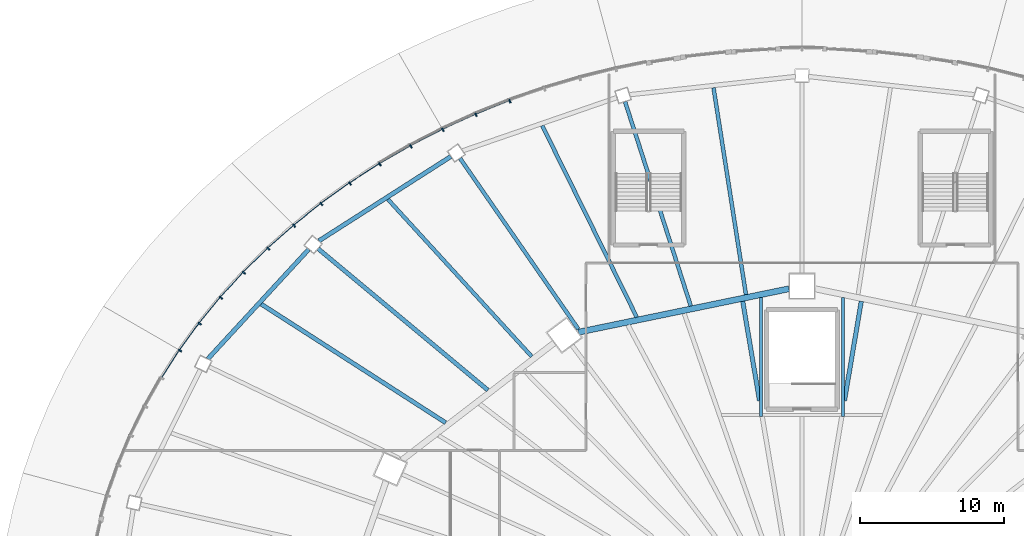
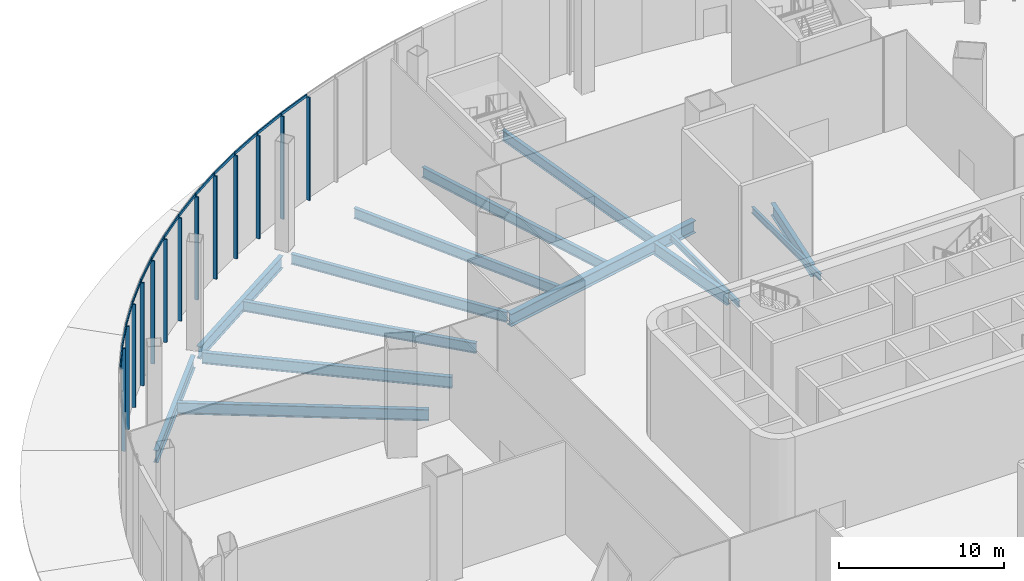
# One storey, part 8 of 36: 26 members, 14 beams, 4 elements without a shape of their own.
"""IFC4 building model written with IfcOpenShell, lengths in metres."""

from ifc_helpers import new_model, si_unit, direction, frame, origin, origin_2d, place, context, subcontext, project, spatial, rectangle, i_section, extrude, material, layer, layer_set, material_profile, profile_set, type_object, element, aggregate, save


model = new_model("IFC4")

# Units and contexts
model_context = context("Model", 3, precision=1e-05, world=origin(), true_north=direction((0.0, 1.0)))
body_context = subcontext(model_context, "Body", "Model", "MODEL_VIEW")
ifc_project = project(units=[si_unit("LENGTHUNIT", "METRE"), si_unit("AREAUNIT", "SQUARE_METRE"), si_unit("VOLUMEUNIT", "CUBIC_METRE"), si_unit("PLANEANGLEUNIT", "RADIAN"), si_unit("MASSUNIT", "GRAM", prefix="KILO")], contexts=[model_context])

# Site, building, storey
site_placement = place(None, origin())
site = spatial("IfcSite", under=ifc_project, at=site_placement, CompositionType="ELEMENT")
building_placement = place(site_placement, origin())
building = spatial("IfcBuilding", under=site, at=building_placement, Name="Sahrelin Media Tower", CompositionType="ELEMENT")
storey_placement = place(building_placement, origin())
storey = spatial("IfcBuildingStorey", under=building, at=storey_placement, Name="L00", CompositionType="ELEMENT", Elevation=0.0)

# Beams
ifc_material_1 = material(Name="Steel S355", Category="steel")
ifc_material_profile_1 = material_profile(ifc_material_1, i_section(OverallWidth=0.1904296875, OverallDepth=0.45703125, WebThickness=0.009033203125, FlangeThickness=0.014404296875, FilletRadius=0.01025390625, at=origin_2d()), Name="UB 457x191x74")
ifc_profile_set_1 = profile_set([ifc_material_profile_1], Name="Steel S355")
beam_type_1 = type_object("IfcBeamType", Name="Header beam HB5", PredefinedType="BEAM", material=ifc_profile_set_1)
for number, where, z_axis, x_axis, name in (
    (1, (2.85009765625, 24.5986328125, -0.528564453125), (0.0, -1.0, 0.0), (1.0, 0.0, 0.0), "Header beam L00-03"),
    (2, (-2.85009765625, 16.335693359375, -0.528564453125), (0.0, 1.0, 0.0), (-1.0, 0.0, 0.0), "Header beam L00-04"),
):
    element("IfcBeam", number, at=place(storey_placement, frame(where, z_axis=z_axis, x_axis=x_axis)), inside=storey, type_object=beam_type_1, Name=name, PredefinedType="BEAM", context=body_context, shape_type="SweptSolid", body=[
        extrude(i_section(OverallWidth=0.1904296875, OverallDepth=0.45703125, WebThickness=0.009033203125, FlangeThickness=0.014404296875, FilletRadius=0.01025390625, at=origin_2d()), origin(), (0.0, 0.0, 1.0), 8.262939453125),
    ])

# Curtain wall, members
ifc_material_2 = material(Name="Champagne anodised aluminium 6063-T6", Category="aluminium")
ifc_layer = layer(ifc_material_2, 0.14990234375)
ifc_layer_set = layer_set([ifc_layer], Name="Concourse curtain wall")
curtain_wall_type = type_object("IfcCurtainWallType", Name="Concourse curtain wall", PredefinedType="NOTDEFINED", material=ifc_layer_set)
curtain_wall_1_placement = place(storey_placement, frame((-12.94091796875, 40.56884765625, 0.0), z_axis=(0.0, 0.0, 1.0), x_axis=(1.0, 0.0, 0.0)))
curtain_wall_1 = element("IfcCurtainWall", 3, at=curtain_wall_1_placement, inside=storey, type_object=curtain_wall_type, Name="L00:CW:L00-P07", PredefinedType="NOTDEFINED")
ifc_material_profile_2 = material_profile(ifc_material_2, rectangle(XDim=0.10009765625, YDim=0.25, at=origin_2d()), Name="Mullion 100x250")
ifc_profile_set_2 = profile_set([ifc_material_profile_2], Name="Champagne anodised aluminium 6063-T6")
member_type_1 = type_object("IfcMemberType", Name="Mullion 100x250 CW4", PredefinedType="MULLION", material=ifc_profile_set_2)
member_1_placement = place(storey_placement, frame((-20.282958984375, 38.234375, 0.0), z_axis=(0.0, 0.0, 1.0), x_axis=(-0.928270482181, -0.371905783648, 0.0)))
member_1 = element("IfcMember", 4, at=member_1_placement, type_object=member_type_1, Name="L00:CWM4:L00-P07", PredefinedType="MULLION", context=body_context, shape_type="SweptSolid", body=[
    extrude(rectangle(XDim=0.10009765625, YDim=0.25, at=origin_2d()), origin(), (0.0, 0.0, 1.0), 7.60009765625),
])
member_2_placement = place(storey_placement, frame((-22.639404296875, 37.290283203125, 0.0), z_axis=(0.0, 0.0, 1.0), x_axis=(-0.909841810065, -0.414955275491, 0.0)))
member_2 = element("IfcMember", 5, at=member_2_placement, type_object=member_type_1, Name="L00:CWM5:L00-P07", PredefinedType="MULLION", context=body_context, shape_type="SweptSolid", body=[
    extrude(rectangle(XDim=0.10009765625, YDim=0.25, at=origin_2d()), origin(), (0.0, 0.0, 1.0), 7.60009765625),
])

curtain_wall_2_placement = place(storey_placement, frame((-25.0, 36.373046875, 0.0), z_axis=(0.0, 0.0, 1.0), x_axis=(1.0, 0.0, 0.0)))
curtain_wall_2 = element("IfcCurtainWall", 6, at=curtain_wall_2_placement, inside=storey, type_object=curtain_wall_type, Name="L00:CW:L00-P08", PredefinedType="NOTDEFINED")
member_3_placement = place(storey_placement, frame((-24.93359375, 36.244140625, 0.0), z_axis=(0.0, 0.0, 1.0), x_axis=(-0.889123403251, -0.457667536309, 0.0)))
member_3 = element("IfcMember", 7, at=member_3_placement, type_object=member_type_1, Name="L00:CWM1:L00-P08", PredefinedType="MULLION", context=body_context, shape_type="SweptSolid", body=[
    extrude(rectangle(XDim=0.10009765625, YDim=0.25, at=origin_2d()), origin(), (0.0, 0.0, 1.0), 7.60009765625),
])
member_4_placement = place(storey_placement, frame((-27.159423828125, 35.0986328125, 0.0), z_axis=(0.0, 0.0, 1.0), x_axis=(-0.866028894422, -0.49999395399, 0.0)))
member_4 = element("IfcMember", 8, at=member_4_placement, type_object=member_type_1, Name="L00:CWM2:L00-P08", PredefinedType="MULLION", context=body_context, shape_type="SweptSolid", body=[
    extrude(rectangle(XDim=0.10009765625, YDim=0.25, at=origin_2d()), origin(), (0.0, 0.0, 1.0), 7.60009765625),
])
member_5_placement = place(storey_placement, frame((-29.310791015625, 33.856689453125, 0.0), z_axis=(0.0, 0.0, 1.0), x_axis=(-0.840519327336, -0.541781561494, 0.0)))
member_5 = element("IfcMember", 9, at=member_5_placement, type_object=member_type_1, Name="L00:CWM3:L00-P08", PredefinedType="MULLION", context=body_context, shape_type="SweptSolid", body=[
    extrude(rectangle(XDim=0.10009765625, YDim=0.25, at=origin_2d()), origin(), (0.0, 0.0, 1.0), 7.60009765625),
])
member_6_placement = place(storey_placement, frame((-31.381591796875, 32.522216796875, 0.0), z_axis=(0.0, 0.0, 1.0), x_axis=(-0.812532432251, -0.582915985834, 0.0)))
member_6 = element("IfcMember", 10, at=member_6_placement, type_object=member_type_1, Name="L00:CWM4:L00-P08", PredefinedType="MULLION", context=body_context, shape_type="SweptSolid", body=[
    extrude(rectangle(XDim=0.10009765625, YDim=0.25, at=origin_2d()), origin(), (0.0, 0.0, 1.0), 7.60009765625),
])
member_7_placement = place(storey_placement, frame((-33.3662109375, 31.0986328125, 0.0), z_axis=(0.0, 0.0, 1.0), x_axis=(-0.781960183728, -0.623328381405, 0.0)))
member_7 = element("IfcMember", 11, at=member_7_placement, type_object=member_type_1, Name="L00:CWM5:L00-P08", PredefinedType="MULLION", context=body_context, shape_type="SweptSolid", body=[
    extrude(rectangle(XDim=0.10009765625, YDim=0.25, at=origin_2d()), origin(), (0.0, 0.0, 1.0), 7.60009765625),
])

curtain_wall_3_placement = place(storey_placement, frame((-35.355224609375, 29.698486328125, 0.0), z_axis=(0.0, 0.0, 1.0), x_axis=(1.0, 0.0, 0.0)))
curtain_wall_3 = element("IfcCurtainWall", 12, at=curtain_wall_3_placement, inside=storey, type_object=curtain_wall_type, Name="L00:CW:L00-P09", PredefinedType="NOTDEFINED")
member_8_placement = place(storey_placement, frame((-35.25927734375, 29.58984375, 0.0), z_axis=(0.0, 0.0, 1.0), x_axis=(-0.748788005735, -0.662809567272, 0.0)))
member_8 = element("IfcMember", 13, at=member_8_placement, type_object=member_type_1, Name="L00:CWM1:L00-P09", PredefinedType="MULLION", context=body_context, shape_type="SweptSolid", body=[
    extrude(rectangle(XDim=0.10009765625, YDim=0.25, at=origin_2d()), origin(), (0.0, 0.0, 1.0), 7.60009765625),
])
member_9_placement = place(storey_placement, frame((-37.055419921875, 28.0, 0.0), z_axis=(0.0, 0.0, 1.0), x_axis=(-0.712973923933, -0.70119054742, 0.0)))
member_9 = element("IfcMember", 14, at=member_9_placement, type_object=member_type_1, Name="L00:CWM2:L00-P09", PredefinedType="MULLION", context=body_context, shape_type="SweptSolid", body=[
    extrude(rectangle(XDim=0.10009765625, YDim=0.25, at=origin_2d()), origin(), (0.0, 0.0, 1.0), 7.60009765625),
])
member_10_placement = place(storey_placement, frame((-38.750244140625, 26.333740234375, 0.0), z_axis=(0.0, 0.0, 1.0), x_axis=(-0.67442997344, -0.738338818514, 0.0)))
member_10 = element("IfcMember", 15, at=member_10_placement, type_object=member_type_1, Name="L00:CWM3:L00-P09", PredefinedType="MULLION", context=body_context, shape_type="SweptSolid", body=[
    extrude(rectangle(XDim=0.10009765625, YDim=0.25, at=origin_2d()), origin(), (0.0, 0.0, 1.0), 7.60009765625),
])
member_11_placement = place(storey_placement, frame((-40.338623046875, 24.59521484375, 0.0), z_axis=(0.0, 0.0, 1.0), x_axis=(-0.633234995933, -0.77395958546, 0.0)))
member_11 = element("IfcMember", 16, at=member_11_placement, type_object=member_type_1, Name="L00:CWM4:L00-P09", PredefinedType="MULLION", context=body_context, shape_type="SweptSolid", body=[
    extrude(rectangle(XDim=0.10009765625, YDim=0.25, at=origin_2d()), origin(), (0.0, 0.0, 1.0), 7.60009765625),
])
member_12_placement = place(storey_placement, frame((-41.81640625, 22.789306640625, 0.0), z_axis=(0.0, 0.0, 1.0), x_axis=(-0.589385309161, -0.807852064022, 0.0)))
member_12 = element("IfcMember", 17, at=member_12_placement, type_object=member_type_1, Name="L00:CWM5:L00-P09", PredefinedType="MULLION", context=body_context, shape_type="SweptSolid", body=[
    extrude(rectangle(XDim=0.10009765625, YDim=0.25, at=origin_2d()), origin(), (0.0, 0.0, 1.0), 7.60009765625),
])

# Curtain wall, member
curtain_wall_4_placement = place(storey_placement, frame((-43.30126953125, 21.0, 0.0), z_axis=(0.0, 0.0, 1.0), x_axis=(1.0, 0.0, 0.0)))
curtain_wall_4 = element("IfcCurtainWall", 18, at=curtain_wall_4_placement, inside=storey, type_object=curtain_wall_type, Name="L00:CW:L00-P10", PredefinedType="NOTDEFINED")
member_13_placement = place(storey_placement, frame((-43.179443359375, 20.92138671875, 0.0), z_axis=(0.0, 0.0, 1.0), x_axis=(-0.542830032192, -0.839842578196, 0.0)))
member_13 = element("IfcMember", 19, at=member_13_placement, type_object=member_type_1, Name="L00:CWM1:L00-P10", PredefinedType="MULLION", context=body_context, shape_type="SweptSolid", body=[
    extrude(rectangle(XDim=0.10009765625, YDim=0.25, at=origin_2d()), origin(), (0.0, 0.0, 1.0), 7.60009765625),
])

# Beams
ifc_material_profile_3 = material_profile(ifc_material_1, i_section(OverallWidth=0.30322265625, OverallDepth=0.903076171875, WebThickness=0.01513671875, FlangeThickness=0.020263671875, FilletRadius=0.01904296875, at=origin_2d()), Name="UB 914x305x201")
ifc_profile_set_3 = profile_set([ifc_material_profile_3], Name="Steel S355")
beam_type_2 = type_object("IfcBeamType", Name="Podium edge girder PE11", PredefinedType="BEAM", material=ifc_profile_set_3)
beam_1_placement = place(storey_placement, frame((-24.37939453125, 34.3984375, -0.75146484375), z_axis=(-0.842485743715, -0.538718638657, 0.0), x_axis=(0.538718638657, -0.842485743715, 0.0)))
element("IfcBeam", 20, at=beam_1_placement, inside=storey, type_object=beam_type_2, Name="Podium edge girder L00-09", PredefinedType="BEAM", context=body_context, shape_type="SweptSolid", body=[
    extrude(i_section(OverallWidth=0.30322265625, OverallDepth=0.903076171875, WebThickness=0.01513671875, FlangeThickness=0.020263671875, FilletRadius=0.01904296875, at=origin_2d()), origin(), (0.0, 0.0, 1.0), 10.87744140625),
])
beam_2_placement = place(storey_placement, frame((-34.246337890625, 27.952880859375, -0.75146484375), z_axis=(-0.677370529771, -0.735642008995, 0.0), x_axis=(0.735642008995, -0.677370529771, 0.0)))
element("IfcBeam", 21, at=beam_2_placement, inside=storey, type_object=beam_type_2, Name="Podium edge girder L00-10", PredefinedType="BEAM", context=body_context, shape_type="SweptSolid", body=[
    extrude(i_section(OverallWidth=0.30322265625, OverallDepth=0.903076171875, WebThickness=0.01513671875, FlangeThickness=0.020263671875, FilletRadius=0.01904296875, at=origin_2d()), origin(), (0.0, 0.0, 1.0), 10.340087890625),
])
ifc_material_profile_4 = material_profile(ifc_material_1, i_section(OverallWidth=0.41845703125, OverallDepth=0.911865234375, WebThickness=0.019287109375, FlangeThickness=0.031982421875, FilletRadius=0.024169921875, at=origin_2d()), Name="UB 914x419x343")
ifc_profile_set_4 = profile_set([ifc_material_profile_4], Name="Steel S355")
beam_type_3 = type_object("IfcBeamType", Name="Podium ring girder PG12", PredefinedType="BEAM", material=ifc_profile_set_4)
beam_3_placement = place(storey_placement, frame((-0.89990234375, 25.21435546875, -0.755859375), z_axis=(-0.979388513106, -0.201985495508, 0.0), x_axis=(0.201985495508, -0.979388513106, 0.0)))
element("IfcBeam", 22, at=beam_3_placement, inside=storey, type_object=beam_type_3, Name="Podium girder L00-04", PredefinedType="BEAM", context=body_context, shape_type="SweptSolid", body=[
    extrude(i_section(OverallWidth=0.41845703125, OverallDepth=0.911865234375, WebThickness=0.019287109375, FlangeThickness=0.031982421875, FilletRadius=0.024169921875, at=origin_2d()), origin(), (0.0, 0.0, 1.0), 14.93359375),
])
ifc_material_profile_5 = material_profile(ifc_material_1, i_section(OverallWidth=0.291748046875, OverallDepth=0.8349609375, WebThickness=0.013916015625, FlangeThickness=0.018798828125, FilletRadius=0.017822265625, at=origin_2d()), Name="UB 838x292x176")
ifc_profile_set_5 = profile_set([ifc_material_profile_5], Name="Steel S355")
beam_type_4 = type_object("IfcBeamType", Name="Radial primary beam PB10", PredefinedType="BEAM", material=ifc_profile_set_5)
beam_4_placement = place(storey_placement, frame((-21.809326171875, 18.174560546875, -0.71728515625), z_axis=(-0.768229105739, 0.640175008178, 0.0), x_axis=(-0.640175008178, -0.768229105739, 0.0)))
element("IfcBeam", 23, at=beam_4_placement, inside=storey, type_object=beam_type_4, Name="Radial beam L00-10", PredefinedType="BEAM", context=body_context, shape_type="SweptSolid", body=[
    extrude(i_section(OverallWidth=0.291748046875, OverallDepth=0.8349609375, WebThickness=0.013916015625, FlangeThickness=0.018798828125, FilletRadius=0.017822265625, at=origin_2d()), origin(), (0.0, 0.0, 1.0), 15.342041015625),
])
ifc_material_profile_6 = material_profile(ifc_material_1, i_section(OverallWidth=0.26513671875, OverallDepth=0.75390625, WebThickness=0.0126953125, FlangeThickness=0.017578125, FilletRadius=0.0166015625, at=origin_2d()), Name="UB 762x267x147")
ifc_profile_set_6 = profile_set([ifc_material_profile_6], Name="Steel S355")
beam_type_5 = type_object("IfcBeamType", Name="Radial primary beam PB9", PredefinedType="BEAM", material=ifc_profile_set_6)
beam_5_placement = place(storey_placement, frame((-7.7236328125, 24.020751953125, -0.677001953125), z_axis=(-0.306110461813, 0.951996000606, 0.0), x_axis=(-0.951996000606, -0.306110461813, 0.0)))
element("IfcBeam", 24, at=beam_5_placement, inside=storey, type_object=beam_type_5, Name="Radial beam L00-08", PredefinedType="BEAM", context=body_context, shape_type="SweptSolid", body=[
    extrude(i_section(OverallWidth=0.26513671875, OverallDepth=0.75390625, WebThickness=0.0126953125, FlangeThickness=0.017578125, FilletRadius=0.0166015625, at=origin_2d()), origin(), (0.0, 0.0, 1.0), 14.903076171875),
])
beam_6_placement = place(storey_placement, frame((-15.527099609375, 22.411376953125, -0.677001953125), z_axis=(-0.569493278726, 0.821995988729, 0.0), x_axis=(-0.821995988729, -0.569493278726, 0.0)))
element("IfcBeam", 25, at=beam_6_placement, inside=storey, type_object=beam_type_5, Name="Radial beam L00-09", PredefinedType="BEAM", context=body_context, shape_type="SweptSolid", body=[
    extrude(i_section(OverallWidth=0.26513671875, OverallDepth=0.75390625, WebThickness=0.0126953125, FlangeThickness=0.017578125, FilletRadius=0.0166015625, at=origin_2d()), origin(), (0.0, 0.0, 1.0), 14.427734375),
])
ifc_material_profile_7 = material_profile(ifc_material_1, i_section(OverallWidth=0.291748046875, OverallDepth=0.8349609375, WebThickness=0.013916015625, FlangeThickness=0.018798828125, FilletRadius=0.017822265625, at=origin_2d()), Name="UB 838x292x176")
ifc_profile_set_7 = profile_set([ifc_material_profile_7], Name="Steel S355")
beam_type_6 = type_object("IfcBeamType", Name="Radial secondary beam SB10", PredefinedType="BEAM", material=ifc_profile_set_7)
beam_7_placement = place(storey_placement, frame((-24.744140625, 15.91552734375, -0.71728515625), z_axis=(-0.84104292767, 0.540968385228, 0.0), x_axis=(-0.540968385228, -0.84104292767, 0.0)))
element("IfcBeam", 26, at=beam_7_placement, inside=storey, type_object=beam_type_6, Name="Secondary beam L00-10", PredefinedType="BEAM", context=body_context, shape_type="SweptSolid", body=[
    extrude(i_section(OverallWidth=0.291748046875, OverallDepth=0.8349609375, WebThickness=0.013916015625, FlangeThickness=0.018798828125, FilletRadius=0.017822265625, at=origin_2d()), origin(), (0.0, 0.0, 1.0), 15.218505859375),
])
ifc_material_profile_8 = material_profile(ifc_material_1, i_section(OverallWidth=0.30322265625, OverallDepth=0.903076171875, WebThickness=0.01513671875, FlangeThickness=0.020263671875, FilletRadius=0.01904296875, at=origin_2d()), Name="UB 914x305x201")
ifc_profile_set_8 = profile_set([ifc_material_profile_8], Name="Steel S355")
beam_type_7 = type_object("IfcBeamType", Name="Radial secondary beam SB11", PredefinedType="BEAM", material=ifc_profile_set_8)
for number, where, z_axis, x_axis, name in (
    (27, (2.949951171875, 17.44677734375, -0.75146484375), (0.166704170057, 0.98600695722, 0.0), (-0.98600695722, 0.166704170057, 0.0), "Secondary beam L00-07"),
    (28, (-2.949951171875, 17.44677734375, -0.75146484375), (-0.166704170057, 0.98600695722, 0.0), (-0.98600695722, -0.166704170057, 0.0), "Secondary beam L00-09"),
):
    element("IfcBeam", number, at=place(storey_placement, frame(where, z_axis=z_axis, x_axis=x_axis)), inside=storey, type_object=beam_type_7, Name=name, PredefinedType="BEAM", context=body_context, shape_type="SweptSolid", body=[
        extrude(i_section(OverallWidth=0.30322265625, OverallDepth=0.903076171875, WebThickness=0.01513671875, FlangeThickness=0.020263671875, FilletRadius=0.01904296875, at=origin_2d()), origin(), (0.0, 0.0, 1.0), 6.98876953125),
    ])
ifc_material_profile_9 = material_profile(ifc_material_1, i_section(OverallWidth=0.26513671875, OverallDepth=0.75390625, WebThickness=0.0126953125, FlangeThickness=0.017578125, FilletRadius=0.0166015625, at=origin_2d()), Name="UB 762x267x147")
ifc_profile_set_9 = profile_set([ifc_material_profile_9], Name="Steel S355")
beam_type_8 = type_object("IfcBeamType", Name="Radial secondary beam SB9", PredefinedType="BEAM", material=ifc_profile_set_9)
beam_8_placement = place(storey_placement, frame((-3.890869140625, 24.811279296875, -0.677001953125), z_axis=(-0.154919883605, 0.987927036609, 0.0), x_axis=(-0.987927036609, -0.154919883605, 0.0)))
element("IfcBeam", 29, at=beam_8_placement, inside=storey, type_object=beam_type_8, Name="Secondary beam L00-07", PredefinedType="BEAM", context=body_context, shape_type="SweptSolid", body=[
    extrude(i_section(OverallWidth=0.26513671875, OverallDepth=0.75390625, WebThickness=0.0126953125, FlangeThickness=0.017578125, FilletRadius=0.0166015625, at=origin_2d()), origin(), (0.0, 0.0, 1.0), 14.537841796875),
])
beam_9_placement = place(storey_placement, frame((-11.47412109375, 23.247314453125, -0.677001953125), z_axis=(-0.442602611298, 0.896717864477, 0.0), x_axis=(-0.896717864477, -0.442602611298, 0.0)))
element("IfcBeam", 30, at=beam_9_placement, inside=storey, type_object=beam_type_8, Name="Secondary beam L00-08", PredefinedType="BEAM", context=body_context, shape_type="SweptSolid", body=[
    extrude(i_section(OverallWidth=0.26513671875, OverallDepth=0.75390625, WebThickness=0.0126953125, FlangeThickness=0.017578125, FilletRadius=0.0166015625, at=origin_2d()), origin(), (0.0, 0.0, 1.0), 14.8232421875),
])
beam_10_placement = place(storey_placement, frame((-18.7685546875, 20.514892578125, -0.677001953125), z_axis=(-0.675004282666, 0.737813810106, 0.0), x_axis=(-0.737813810106, -0.675004282666, 0.0)))
element("IfcBeam", 31, at=beam_10_placement, inside=storey, type_object=beam_type_8, Name="Secondary beam L00-09", PredefinedType="BEAM", context=body_context, shape_type="SweptSolid", body=[
    extrude(i_section(OverallWidth=0.26513671875, OverallDepth=0.75390625, WebThickness=0.0126953125, FlangeThickness=0.017578125, FilletRadius=0.0166015625, at=origin_2d()), origin(), (0.0, 0.0, 1.0), 14.7861328125),
])

# Member
ifc_material_profile_10 = material_profile(ifc_material_2, rectangle(XDim=0.080078125, YDim=0.199951171875, at=origin_2d()), Name="Transom 80x200")
ifc_profile_set_10 = profile_set([ifc_material_profile_10], Name="Champagne anodised aluminium 6063-T6")
member_type_2 = type_object("IfcMemberType", Name="Transom 80x200 CW4", PredefinedType="USERDEFINED", material=ifc_profile_set_10)
member_14_placement = place(storey_placement, frame((-20.3701171875, 38.291015625, 7.699951171875), z_axis=(-0.928273317424, -0.371898706854, 0.0), x_axis=(0.371898706854, -0.928273317424, 0.0)))
member_14 = element("IfcMember", 32, at=member_14_placement, type_object=member_type_2, Name="L00:CWT4a:L00-P07", ObjectType="TRANSOM", PredefinedType="USERDEFINED", context=body_context, shape_type="SweptSolid", body=[
    extrude(rectangle(XDim=0.080078125, YDim=0.199951171875, at=origin_2d()), origin(), (0.0, 0.0, 1.0), 2.4853515625),
])

member_15_placement = place(storey_placement, frame((-22.729248046875, 37.3427734375, 7.699951171875), z_axis=(-0.909857700492, -0.414920431956, 0.0), x_axis=(0.414920431956, -0.909857700492, 0.0)))
member_15 = element("IfcMember", 33, at=member_15_placement, type_object=member_type_2, Name="L00:CWT5a:L00-P07", ObjectType="TRANSOM", PredefinedType="USERDEFINED", context=body_context, shape_type="SweptSolid", body=[
    extrude(rectangle(XDim=0.080078125, YDim=0.199951171875, at=origin_2d()), origin(), (0.0, 0.0, 1.0), 2.46826171875),
])

aggregate(curtain_wall_1, [member_1, member_14, member_2, member_15])

member_16_placement = place(storey_placement, frame((-25.02587890625, 36.292236328125, 7.699951171875), z_axis=(-0.889145349563, -0.457624898089, 0.0), x_axis=(0.457624898089, -0.889145349563, 0.0)))
member_16 = element("IfcMember", 34, at=member_16_placement, type_object=member_type_2, Name="L00:CWT1a:L00-P08", ObjectType="TRANSOM", PredefinedType="USERDEFINED", context=body_context, shape_type="SweptSolid", body=[
    extrude(rectangle(XDim=0.080078125, YDim=0.199951171875, at=origin_2d()), origin(), (0.0, 0.0, 1.0), 2.450439453125),
])

member_17_placement = place(storey_placement, frame((-27.25390625, 35.14208984375, 7.699951171875), z_axis=(-0.866071874077, -0.499919502453, 0.0), x_axis=(0.499919502453, -0.866071874077, 0.0)))
member_17 = element("IfcMember", 35, at=member_17_placement, type_object=member_type_2, Name="L00:CWT2a:L00-P08", ObjectType="TRANSOM", PredefinedType="USERDEFINED", context=body_context, shape_type="SweptSolid", body=[
    extrude(rectangle(XDim=0.080078125, YDim=0.199951171875, at=origin_2d()), origin(), (0.0, 0.0, 1.0), 2.43115234375),
])

member_18_placement = place(storey_placement, frame((-29.4072265625, 33.895751953125, 7.699951171875), z_axis=(-0.840519796932, -0.541780832962, 0.0), x_axis=(0.541780832962, -0.840519796932, 0.0)))
member_18 = element("IfcMember", 36, at=member_18_placement, type_object=member_type_2, Name="L00:CWT3a:L00-P08", ObjectType="TRANSOM", PredefinedType="USERDEFINED", context=body_context, shape_type="SweptSolid", body=[
    extrude(rectangle(XDim=0.080078125, YDim=0.199951171875, at=origin_2d()), origin(), (0.0, 0.0, 1.0), 2.410888671875),
])

member_19_placement = place(storey_placement, frame((-31.479736328125, 32.556396484375, 7.699951171875), z_axis=(-0.81250984777, -0.58294746528, 0.0), x_axis=(0.58294746528, -0.81250984777, 0.0)))
member_19 = element("IfcMember", 37, at=member_19_placement, type_object=member_type_2, Name="L00:CWT4a:L00-P08", ObjectType="TRANSOM", PredefinedType="USERDEFINED", context=body_context, shape_type="SweptSolid", body=[
    extrude(rectangle(XDim=0.080078125, YDim=0.199951171875, at=origin_2d()), origin(), (0.0, 0.0, 1.0), 2.3896484375),
])

member_20_placement = place(storey_placement, frame((-33.466064453125, 31.127685546875, 7.699951171875), z_axis=(-0.781973967853, -0.623311088944, 0.0), x_axis=(0.623311088944, -0.781973967853, 0.0)))
member_20 = element("IfcMember", 38, at=member_20_placement, type_object=member_type_2, Name="L00:CWT5a:L00-P08", ObjectType="TRANSOM", PredefinedType="USERDEFINED", context=body_context, shape_type="SweptSolid", body=[
    extrude(rectangle(XDim=0.080078125, YDim=0.199951171875, at=origin_2d()), origin(), (0.0, 0.0, 1.0), 2.3681640625),
])

aggregate(curtain_wall_2, [member_3, member_16, member_4, member_17, member_5, member_18, member_6, member_19, member_7, member_20])

member_21_placement = place(storey_placement, frame((-35.360595703125, 29.61376953125, 7.699951171875), z_axis=(-0.748774077426, -0.662825302002, 0.0), x_axis=(0.662825302002, -0.748774077426, 0.0)))
member_21 = element("IfcMember", 39, at=member_21_placement, type_object=member_type_2, Name="L00:CWT1a:L00-P09", ObjectType="TRANSOM", PredefinedType="USERDEFINED", context=body_context, shape_type="SweptSolid", body=[
    extrude(rectangle(XDim=0.080078125, YDim=0.199951171875, at=origin_2d()), origin(), (0.0, 0.0, 1.0), 2.34619140625),
])

member_22_placement = place(storey_placement, frame((-37.157958984375, 28.018798828125, 7.699951171875), z_axis=(-0.712911659558, -0.701253852514, 0.0), x_axis=(0.701253852514, -0.712911659558, 0.0)))
member_22 = element("IfcMember", 40, at=member_22_placement, type_object=member_type_2, Name="L00:CWT2a:L00-P09", ObjectType="TRANSOM", PredefinedType="USERDEFINED", context=body_context, shape_type="SweptSolid", body=[
    extrude(rectangle(XDim=0.080078125, YDim=0.199951171875, at=origin_2d()), origin(), (0.0, 0.0, 1.0), 2.32470703125),
])

member_23_placement = place(storey_placement, frame((-38.853515625, 26.3466796875, 7.699951171875), z_axis=(-0.6744176745, -0.738350052699, 0.0), x_axis=(0.738350052699, -0.6744176745, 0.0)))
member_23 = element("IfcMember", 41, at=member_23_placement, type_object=member_type_2, Name="L00:CWT3a:L00-P09", ObjectType="TRANSOM", PredefinedType="USERDEFINED", context=body_context, shape_type="SweptSolid", body=[
    extrude(rectangle(XDim=0.080078125, YDim=0.199951171875, at=origin_2d()), origin(), (0.0, 0.0, 1.0), 2.302734375),
])

member_24_placement = place(storey_placement, frame((-40.4423828125, 24.6025390625, 7.699951171875), z_axis=(-0.633296062236, -0.773909618467, 0.0), x_axis=(0.773909618467, -0.633296062236, 0.0)))
member_24 = element("IfcMember", 42, at=member_24_placement, type_object=member_type_2, Name="L00:CWT4a:L00-P09", ObjectType="TRANSOM", PredefinedType="USERDEFINED", context=body_context, shape_type="SweptSolid", body=[
    extrude(rectangle(XDim=0.080078125, YDim=0.199951171875, at=origin_2d()), origin(), (0.0, 0.0, 1.0), 2.281494140625),
])

member_25_placement = place(storey_placement, frame((-41.92041015625, 22.791015625, 7.699951171875), z_axis=(-0.589320504692, -0.807899339491, 0.0), x_axis=(0.807899339491, -0.589320504692, 0.0)))
member_25 = element("IfcMember", 43, at=member_25_placement, type_object=member_type_2, Name="L00:CWT5a:L00-P09", ObjectType="TRANSOM", PredefinedType="USERDEFINED", context=body_context, shape_type="SweptSolid", body=[
    extrude(rectangle(XDim=0.080078125, YDim=0.199951171875, at=origin_2d()), origin(), (0.0, 0.0, 1.0), 2.2607421875),
])

aggregate(curtain_wall_3, [member_8, member_21, member_9, member_22, member_10, member_23, member_11, member_24, member_12, member_25])

member_26_placement = place(storey_placement, frame((-43.283447265625, 20.9169921875, 7.699951171875), z_axis=(-0.542853714952, -0.839827270433, 0.0), x_axis=(0.839827270433, -0.542853714952, 0.0)))
member_26 = element("IfcMember", 44, at=member_26_placement, type_object=member_type_2, Name="L00:CWT1a:L00-P10", ObjectType="TRANSOM", PredefinedType="USERDEFINED", context=body_context, shape_type="SweptSolid", body=[
    extrude(rectangle(XDim=0.080078125, YDim=0.199951171875, at=origin_2d()), origin(), (0.0, 0.0, 1.0), 2.240966796875),
])

aggregate(curtain_wall_4, [member_13, member_26])

save(model, "model.ifc")
